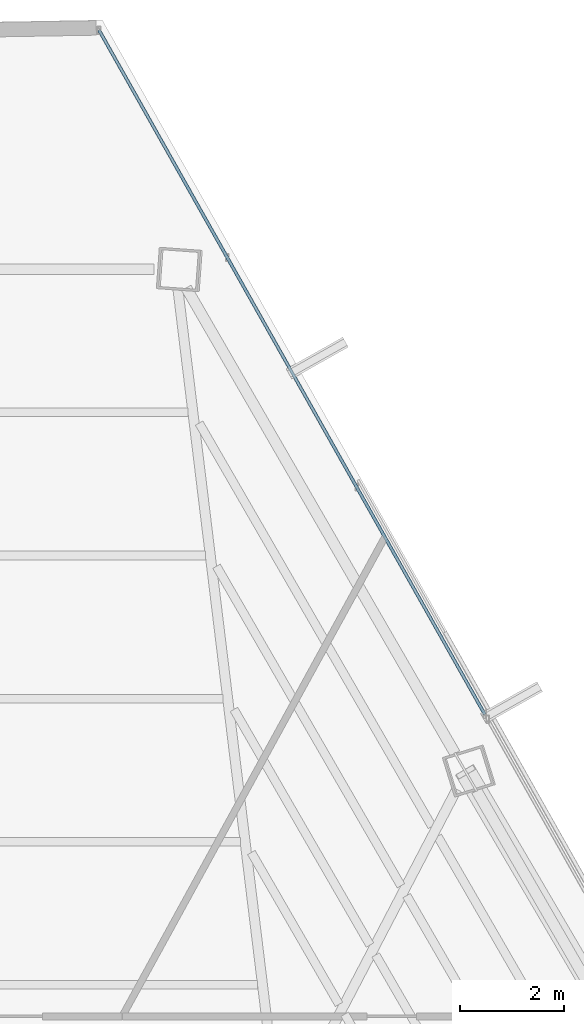
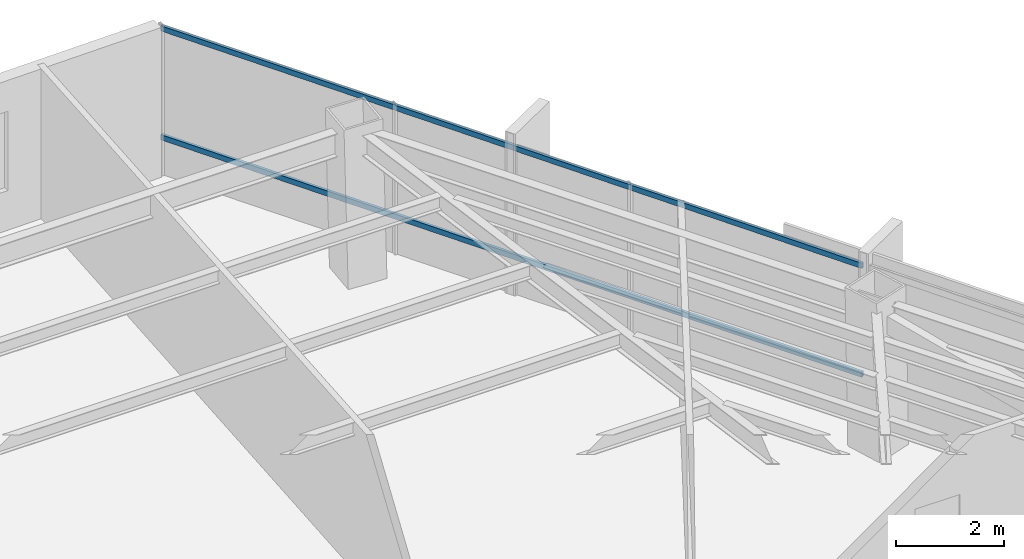
# One storey, part 31 of 42: 2 members, 1 element without a shape of its own.
"""IFC4 building model written with IfcOpenShell, lengths in metres."""

from ifc_helpers import new_model, si_unit, direction, frame, origin, origin_2d, place, context, subcontext, project, spatial, hollow_rectangle, extrude, source, transform, mapped, material, material_profile, profile_set, type_object, type_shapes, element, aggregate, save


model = new_model("IFC4")

# Units and contexts
model_context = context("Model", 3, precision=1e-05, world=origin(), true_north=direction((0.0, 1.0)))
body_context = subcontext(model_context, "Body", "Model", "MODEL_VIEW")
ifc_project = project(units=[si_unit("LENGTHUNIT", "METRE"), si_unit("AREAUNIT", "SQUARE_METRE"), si_unit("VOLUMEUNIT", "CUBIC_METRE"), si_unit("PLANEANGLEUNIT", "RADIAN"), si_unit("MASSUNIT", "GRAM", prefix="KILO")], contexts=[model_context])

# Site, building, storey
site_placement = place(None, origin())
site = spatial("IfcSite", under=ifc_project, at=site_placement, CompositionType="ELEMENT")
building_placement = place(site_placement, origin())
building = spatial("IfcBuilding", under=site, at=building_placement, Name="Caelisora Broadcast Tower", CompositionType="ELEMENT")
storey_placement = place(building_placement, frame((0.0, 0.0, 184.050048828125)))
storey = spatial("IfcBuildingStorey", under=building, at=storey_placement, Name="L48", CompositionType="ELEMENT", Elevation=184.050048828125)

# Curtain wall, members
ifc_material_1 = material(Name="Unitised Aluminium and Low-E Glass Curtain Wall", Category="glass")
curtain_wall_type = type_object("IfcCurtainWallType", Name="CW-Z4", PredefinedType="NOTDEFINED", material=ifc_material_1)
curtain_wall_placement = place(storey_placement, origin())
curtain_wall = element("IfcCurtainWall", 1, at=curtain_wall_placement, inside=storey, type_object=curtain_wall_type, Name="L48 curtain wall CW-Z4", PredefinedType="NOTDEFINED")
ifc_material_2 = material(Name="Aluminium 6063-T6 Anodised Terracotta Bronze", Category="aluminium")
ifc_material_profile = material_profile(ifc_material_2, hollow_rectangle(XDim=0.06005859375, YDim=0.1201171875, WallThickness=0.0029296875, at=origin_2d()), Name="Aluminium 6063-T6 Anodised Terracotta Bronze")
ifc_profile_set = profile_set([ifc_material_profile], Name="Aluminium 6063-T6 Anodised Terracotta Bronze")
member_type = type_object("IfcMemberType", Name="CWT-03", PredefinedType="USERDEFINED", material=ifc_profile_set)
shared_shape = source(origin(), body_context, "Body", "SweptSolid", [
    extrude(hollow_rectangle(XDim=0.06005859375, YDim=0.1201171875, WallThickness=0.0029296875, at=origin_2d()), origin(), (0.0, 0.0, 1.0), 15.140625),
])
type_shapes(member_type, [shared_shape])
member_1_placement = place(storey_placement, frame((42.013671875, 51.162353515625, 0.849853515625), z_axis=(0.491113850364, -0.871095394306, 0.0), x_axis=(0.871095394306, 0.491113850364, 0.0)))
member_1 = element("IfcMember", 2, at=member_1_placement, type_object=member_type, Name="L48-CW-B01 transom #1", ObjectType="TRANSOM", PredefinedType="USERDEFINED", context=body_context, shape_type="MappedRepresentation", body=[
    mapped(shared_shape, transform((0.0, 0.0, 0.0), scale=1.0)),
])
member_2_placement = place(storey_placement, frame((42.013671875, 51.162353515625, 3.320068359375), z_axis=(0.491113850364, -0.871095394306, 0.0), x_axis=(0.871095394306, 0.491113850364, 0.0)))
member_2 = element("IfcMember", 3, at=member_2_placement, type_object=member_type, Name="L48-CW-B01 transom #2", ObjectType="TRANSOM", PredefinedType="USERDEFINED", context=body_context, shape_type="MappedRepresentation", body=[
    mapped(shared_shape, transform((0.0, 0.0, 0.0), scale=1.0)),
])
aggregate(curtain_wall, [member_1, member_2])

save(model, "model.ifc")
